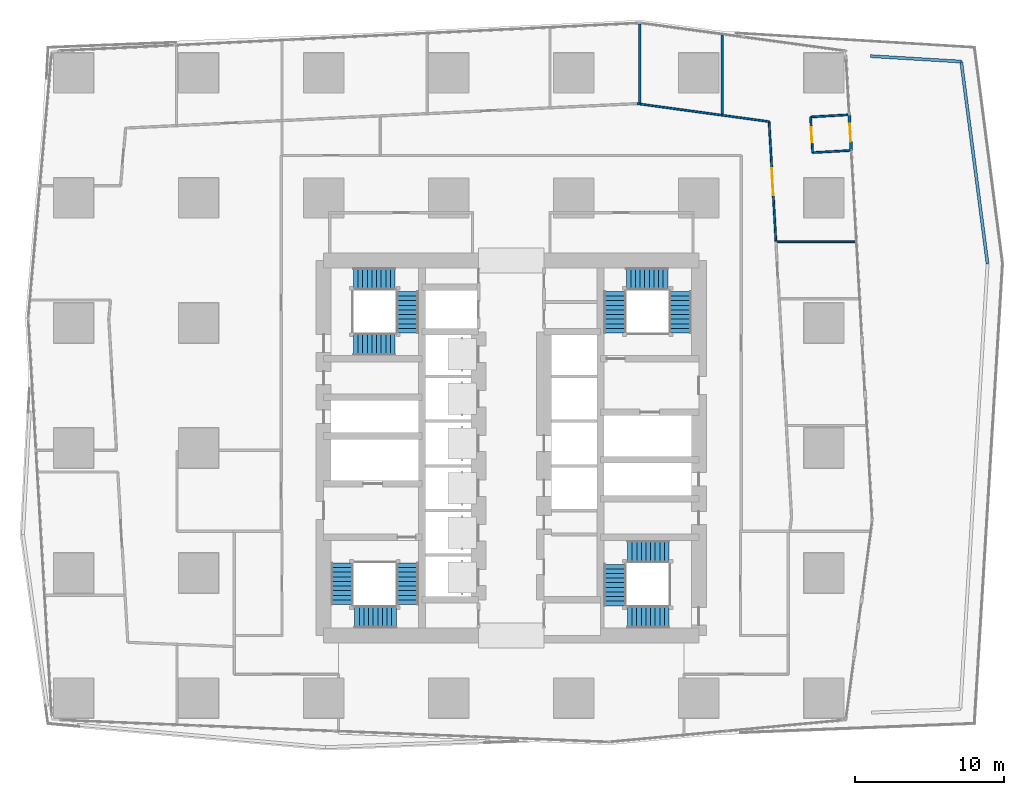
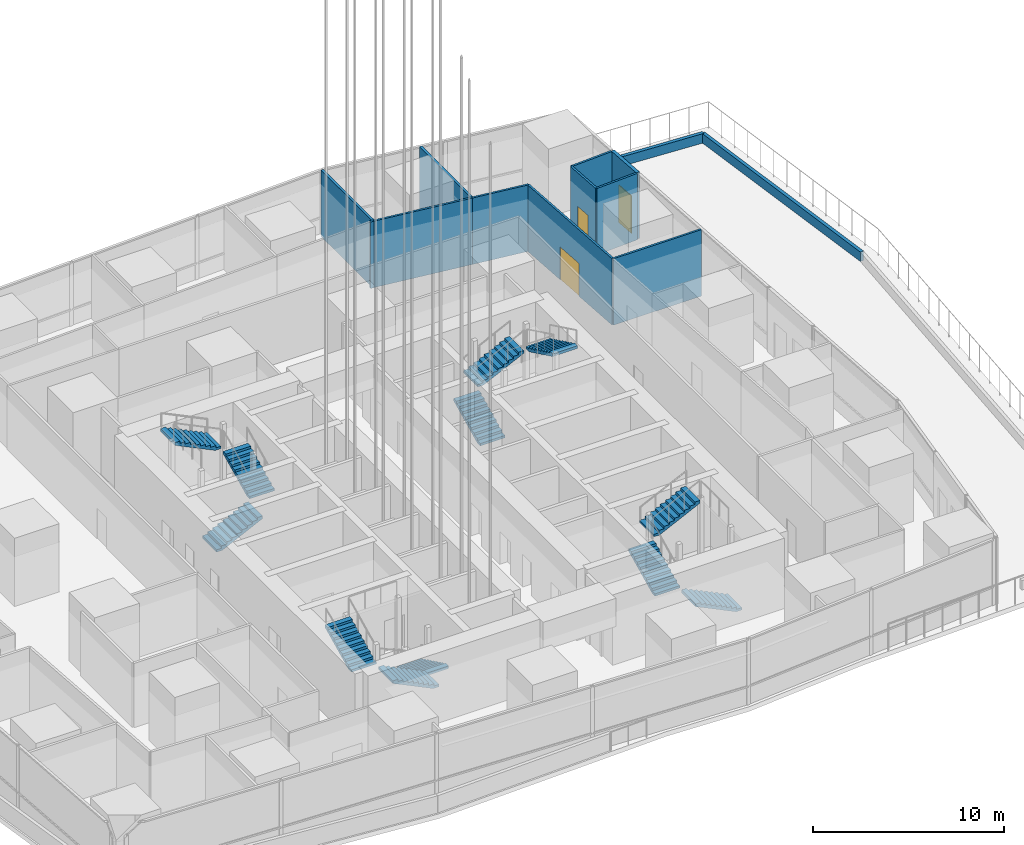
# One storey, part 18 of 39: 13 walls, 12 stair flights, 3 doors, 3 openings, 4 elements without a shape of their own.
"""IFC4 building model written with IfcOpenShell, lengths in metres."""

from ifc_helpers import new_model, si_unit, direction, frame, frame_2d, origin, place, context, subcontext, project, spatial, polyline, rectangle, outline, extrude, material, layer, layer_set, type_object, element, fill, aggregate, save


model = new_model("IFC4")

# Units and contexts
model_context = context("Model", 3, precision=1e-05, world=origin(), true_north=direction((0.0, 1.0)))
body_context = subcontext(model_context, "Body", "Model", "MODEL_VIEW")
ifc_project = project(units=[si_unit("LENGTHUNIT", "METRE"), si_unit("AREAUNIT", "SQUARE_METRE"), si_unit("VOLUMEUNIT", "CUBIC_METRE"), si_unit("PLANEANGLEUNIT", "RADIAN"), si_unit("MASSUNIT", "GRAM", prefix="KILO")], contexts=[model_context])

# Site, building, storey
site_placement = place(None, origin())
site = spatial("IfcSite", under=ifc_project, at=site_placement, CompositionType="ELEMENT")
building_placement = place(site_placement, origin())
building = spatial("IfcBuilding", under=site, at=building_placement, Name="Rekha Terrace Tower", CompositionType="ELEMENT")
storey_placement = place(building_placement, frame((0.0, 0.0, 168.199951171875)))
storey = spatial("IfcBuildingStorey", under=building, at=storey_placement, Name="L42", CompositionType="ELEMENT", Elevation=168.199951171875)

# Wall, opening, door
ifc_material_1 = material(Name="Aluminium-faced insulated screen wall", Category="aluminium")
ifc_layer_1 = layer(ifc_material_1, 0.199951171875)
ifc_layer_set_1 = layer_set([ifc_layer_1], Name="Aluminium-faced insulated screen wall")
wall_type_1 = type_object("IfcWallType", Name="EW3 terrace door screen wall 200", PredefinedType="SOLIDWALL", material=ifc_layer_set_1)
wall_1_placement = place(storey_placement, frame((60.63916015625, 53.588623046875, 0.0), z_axis=(0.0, 0.0, 1.0), x_axis=(-0.056658709935, 0.998393605042, 0.0)))
wall_1 = element("IfcWall", 1, at=wall_1_placement, inside=storey, type_object=wall_type_1, Name="Maintenance store door screen wall", PredefinedType="SOLIDWALL", context=body_context, shape_type="SweptSolid", body=[
    extrude(rectangle(XDim=2.400146484375, YDim=0.199951171875, at=frame_2d((1.2001953125, 0.0))), origin(), (0.0, 0.0, 1.0), 4.25),
])
opening_1_placement = place(wall_1_placement, frame((0.60009765625, 0.0, 0.0)))
opening_1 = element("IfcOpeningElement", 2, at=opening_1_placement, cuts=wall_1, Name="Opening ED4", PredefinedType="OPENING", context=body_context, shape_type="SweptSolid", body=[
    extrude(rectangle(XDim=1.199951171875, YDim=2.39990234375, at=frame_2d((0.60009765625, 1.199951171875))), frame((0.0, 0.10986328125, 0.0), z_axis=(0.0, -1.0, 0.0), x_axis=(1.0, 0.0, 0.0)), (0.0, 0.0, 1.0), 0.219970703125),
])
ifc_material_2 = material(Name="Aluminium framed laminated glass door", Category="aluminium")
door_type_1 = type_object("IfcDoorType", Name="ED4 glazed terrace door 1200 x 2400", OperationType="SINGLE_SWING_LEFT", PredefinedType="DOOR", material=ifc_material_2)
door_1_placement = place(opening_1_placement, origin())
door_1 = element("IfcDoor", 3, at=door_1_placement, inside=storey, type_object=door_type_1, Name="Maintenance access door", OperationType="SINGLE_SWING_LEFT", OverallHeight=2.39990234375, OverallWidth=1.199951171875, PredefinedType="DOOR", context=body_context, shape_type="SweptSolid", body=[
    extrude(rectangle(XDim=1.199951171875, YDim=2.39990234375, at=frame_2d((0.60009765625, 1.199951171875))), frame((0.0, 0.02490234375, 0.0), z_axis=(0.0, -1.0, 0.0), x_axis=(1.0, 0.0, 0.0)), (0.0, 0.0, 1.0), 0.050048828125),
])
fill(opening_1, door_1)

# Walls
ifc_material_3 = material(Name="Concrete M40", Category="concrete")
ifc_layer_2 = layer(ifc_material_3, 0.199951171875)
ifc_layer_set_2 = layer_set([ifc_layer_2], Name="Concrete M40")
wall_type_2 = type_object("IfcWallType", Name="PL1 terrace planter wall 200", PredefinedType="USERDEFINED", material=ifc_layer_set_2)
wall_2_placement = place(storey_placement, frame((69.795654296875, 45.97021484375, 0.0), z_axis=(0.0, 0.0, 1.0), x_axis=(-0.129119022458, 0.991629103062, 0.0)))
element("IfcWall", 4, at=wall_2_placement, inside=storey, type_object=wall_type_2, Name="Terrace planter", ObjectType="PLANTER", PredefinedType="USERDEFINED", context=body_context, shape_type="SweptSolid", body=[
    extrude(rectangle(XDim=13.700927734375, YDim=0.199951171875, at=frame_2d((6.8505859375, 0.0))), origin(), (0.0, 0.0, 1.0), 0.60009765625),
])
wall_3_placement = place(storey_placement, frame((68.026611328125, 59.556396484375, 0.0), z_axis=(0.0, 0.0, 1.0), x_axis=(-0.998198278136, 0.060001646027, 0.0)))
element("IfcWall", 5, at=wall_3_placement, inside=storey, type_object=wall_type_2, Name="Terrace planter", ObjectType="PLANTER", PredefinedType="USERDEFINED", context=body_context, shape_type="SweptSolid", body=[
    extrude(rectangle(XDim=6.09521484375, YDim=0.199951171875, at=frame_2d((3.047607421875, 0.0))), origin(), (0.0, 0.0, 1.0), 0.60009765625),
])
ifc_material_4 = material(Name="Concrete block masonry, 1 hour", Category="masonry")
ifc_layer_3 = layer(ifc_material_4, 0.14990234375)
ifc_layer_set_3 = layer_set([ifc_layer_3], Name="Concrete block masonry, 1 hour")
wall_type_3 = type_object("IfcWallType", Name="WP2 150 tenancy partition", PredefinedType="PARTITIONING", material=ifc_layer_set_3)
wall_4_placement = place(storey_placement, frame((46.241943359375, 56.73193359375, 0.0), z_axis=(0.0, 0.0, 1.0), x_axis=(0.990372824213, -0.13842568064, 0.0)))
element("IfcWall", 6, at=wall_4_placement, inside=storey, type_object=wall_type_3, Name="Partition L42-O2", PredefinedType="PARTITIONING", context=body_context, shape_type="SweptSolid", body=[
    extrude(rectangle(XDim=0.194091796875, YDim=0.14990234375, at=frame_2d((0.09716796875, 0.0))), origin(), (0.0, 0.0, 1.0), 4.25),
])
wall_5_placement = place(storey_placement, frame((46.43408203125, 56.705078125, 0.0), z_axis=(0.0, 0.0, 1.0), x_axis=(0.0, 1.0, 0.0)))
element("IfcWall", 7, at=wall_5_placement, inside=storey, type_object=wall_type_3, Name="Partition L42-O2", PredefinedType="PARTITIONING", context=body_context, shape_type="SweptSolid", body=[
    extrude(rectangle(XDim=5.36181640625, YDim=0.14990234375, at=frame_2d((2.680908203125, 0.0))), origin(), (0.0, 0.0, 1.0), 4.25),
])
wall_6_placement = place(storey_placement, frame((51.97509765625, 56.013916015625, 0.0), z_axis=(0.0, 0.0, 1.0), x_axis=(0.0, 1.0, 0.0)))
element("IfcWall", 8, at=wall_6_placement, inside=storey, type_object=wall_type_3, Name="Partition L42-O2", PredefinedType="PARTITIONING", context=body_context, shape_type="SweptSolid", body=[
    extrude(rectangle(XDim=5.337158203125, YDim=0.14990234375, at=frame_2d((2.66845703125, 0.0))), origin(), (0.0, 0.0, 1.0), 4.25),
])
ifc_material_5 = material(Name="Two layers of fire-rated gypsum board each side on steel studs, acoustic quilt, 1 hour", Category="steel")
ifc_layer_4 = layer(ifc_material_5, 0.125)
ifc_layer_set_4 = layer_set([ifc_layer_4], Name="Two layers of fire-rated gypsum board each side on steel studs, acoustic quilt, 1 hour")
wall_type_4 = type_object("IfcWallType", Name="WP3 125 office partition", PredefinedType="PARTITIONING", material=ifc_layer_set_4)
wall_7_placement = place(storey_placement, frame((55.5791015625, 47.450927734375, 0.0), z_axis=(0.0, 0.0, 1.0), x_axis=(1.0, 0.0, 0.0)))
element("IfcWall", 9, at=wall_7_placement, inside=storey, type_object=wall_type_4, Name="Partition L42-07", PredefinedType="PARTITIONING", context=body_context, shape_type="SweptSolid", body=[
    extrude(rectangle(XDim=5.328857421875, YDim=0.125, at=frame_2d((2.66455078125, 0.0))), origin(), (0.0, 0.0, 1.0), 4.25),
])
wall_8_placement = place(storey_placement, frame((60.403076171875, 55.97900390625, 0.0), z_axis=(0.0, 0.0, 1.0), x_axis=(-0.99838370594, -0.056832875279, 0.0)))
element("IfcWall", 10, at=wall_8_placement, inside=storey, type_object=wall_type_4, Name="Partition L42-08", PredefinedType="PARTITIONING", context=body_context, shape_type="SweptSolid", body=[
    extrude(rectangle(XDim=2.500244140625, YDim=0.125, at=frame_2d((1.25, 0.0))), origin(), (0.0, 0.0, 1.0), 4.25),
])

# Wall, opening, door
wall_9_placement = place(storey_placement, frame((57.906982421875, 55.8369140625, 0.0), z_axis=(0.0, 0.0, 1.0), x_axis=(0.056664464652, -0.998393278446, 0.0)))
wall_9 = element("IfcWall", 11, at=wall_9_placement, inside=storey, type_object=wall_type_4, Name="Partition L42-08", PredefinedType="PARTITIONING", context=body_context, shape_type="SweptSolid", body=[
    extrude(rectangle(XDim=2.39990234375, YDim=0.125, at=frame_2d((1.199951171875, 0.0))), origin(), (0.0, 0.0, 1.0), 4.25),
])
opening_2_placement = place(wall_9_placement, frame((0.699951171875, 0.0, 0.0)))
opening_2 = element("IfcOpeningElement", 12, at=opening_2_placement, cuts=wall_9, Name="Opening D9", PredefinedType="OPENING", context=body_context, shape_type="SweptSolid", body=[
    extrude(rectangle(XDim=1.0, YDim=2.10009765625, at=frame_2d((0.5, 1.050048828125))), frame((0.0, 0.072509765625, 0.0), z_axis=(0.0, -1.0, 0.0), x_axis=(1.0, 0.0, 0.0)), (0.0, 0.0, 1.0), 0.14501953125),
])
ifc_material_6 = material(Name="Timber fire door", Category="wood")
door_type_2 = type_object("IfcDoorType", Name="D9 1000x2100 office door", OperationType="SINGLE_SWING_LEFT", PredefinedType="DOOR", material=ifc_material_6)
door_2_placement = place(opening_2_placement, origin())
door_2 = element("IfcDoor", 13, at=door_2_placement, inside=storey, type_object=door_type_2, Name="Door terrace maintenance store L42", OperationType="SINGLE_SWING_LEFT", OverallHeight=2.10009765625, OverallWidth=1.0, PredefinedType="DOOR", context=body_context, shape_type="SweptSolid", body=[
    extrude(rectangle(XDim=1.0, YDim=2.10009765625, at=frame_2d((0.5, 1.050048828125))), frame((0.0, 0.02490234375, 0.0), z_axis=(0.0, -1.0, 0.0), x_axis=(1.0, 0.0, 0.0)), (0.0, 0.0, 1.0), 0.050048828125),
])
fill(opening_2, door_2)

# Wall
wall_10_placement = place(storey_placement, frame((58.04296875, 53.44091796875, 0.0), z_axis=(0.0, 0.0, 1.0), x_axis=(0.99838737481, 0.056768387506, 0.0)))
element("IfcWall", 14, at=wall_10_placement, inside=storey, type_object=wall_type_4, Name="Partition L42-08", PredefinedType="PARTITIONING", context=body_context, shape_type="SweptSolid", body=[
    extrude(rectangle(XDim=2.520263671875, YDim=0.125, at=frame_2d((1.26025390625, 0.0))), origin(), (0.0, 0.0, 1.0), 4.25),
])

# Wall, opening, door
wall_11_placement = place(storey_placement, frame((55.5791015625, 47.451904296875, 0.0), z_axis=(0.0, 0.0, 1.0), x_axis=(-0.056655879017, 0.998393765692, 0.0)))
wall_11 = element("IfcWall", 15, at=wall_11_placement, inside=storey, type_object=wall_type_4, Name="Partition L42-08", PredefinedType="PARTITIONING", context=body_context, shape_type="SweptSolid", body=[
    extrude(rectangle(XDim=8.083984375, YDim=0.125, at=frame_2d((4.0419921875, 0.0))), origin(), (0.0, 0.0, 1.0), 4.25),
])
opening_3_placement = place(wall_11_placement, frame((3.14208984375, 0.0, 0.0)))
opening_3 = element("IfcOpeningElement", 16, at=opening_3_placement, cuts=wall_11, Name="Opening D8", PredefinedType="OPENING", context=body_context, shape_type="SweptSolid", body=[
    extrude(rectangle(XDim=1.800048828125, YDim=2.10009765625, at=frame_2d((0.89990234375, 1.050048828125))), frame((0.0, 0.072509765625, 0.0), z_axis=(0.0, -1.0, 0.0), x_axis=(1.0, 0.0, 0.0)), (0.0, 0.0, 1.0), 0.14501953125),
])
door_type_3 = type_object("IfcDoorType", Name="D8 1800x2100 double leaf door", OperationType="DOUBLE_DOOR_SINGLE_SWING", PredefinedType="DOOR", material=ifc_material_6)
door_3_placement = place(opening_3_placement, origin())
door_3 = element("IfcDoor", 17, at=door_3_placement, inside=storey, type_object=door_type_3, Name="Door business lounge L42", OperationType="DOUBLE_DOOR_SINGLE_SWING", OverallHeight=2.10009765625, OverallWidth=1.800048828125, PredefinedType="DOOR", context=body_context, shape_type="SweptSolid", body=[
    extrude(rectangle(XDim=1.800048828125, YDim=2.10009765625, at=frame_2d((0.89990234375, 1.050048828125))), frame((0.0, 0.02490234375, 0.0), z_axis=(0.0, -1.0, 0.0), x_axis=(1.0, 0.0, 0.0)), (0.0, 0.0, 1.0), 0.050048828125),
])
fill(opening_3, door_3)

# Walls
wall_12_placement = place(storey_placement, frame((55.12109375, 55.52294921875, 0.0), z_axis=(0.0, 0.0, 1.0), x_axis=(-0.990861978698, 0.134879721126, 0.0)))
element("IfcWall", 18, at=wall_12_placement, inside=storey, type_object=wall_type_4, Name="Partition L42-08", PredefinedType="PARTITIONING", context=body_context, shape_type="SweptSolid", body=[
    extrude(rectangle(XDim=3.173095703125, YDim=0.125, at=frame_2d((1.58642578125, 0.0))), origin(), (0.0, 0.0, 1.0), 4.25),
])
wall_13_placement = place(storey_placement, frame((51.97705078125, 55.950927734375, 0.0), z_axis=(0.0, 0.0, 1.0), x_axis=(-0.990861495623, 0.134883269874, 0.0)))
element("IfcWall", 19, at=wall_13_placement, inside=storey, type_object=wall_type_4, Name="Partition L42-08", PredefinedType="PARTITIONING", context=body_context, shape_type="SweptSolid", body=[
    extrude(rectangle(XDim=5.591064453125, YDim=0.125, at=frame_2d((2.79541015625, 0.0))), origin(), (0.0, 0.0, 1.0), 4.25),
])

# Stair, stair flights
stair_type = type_object("IfcStairType", Name="ST30 stair, 30 risers of 150, going 310, 1500 wide flights, 3 flights", PredefinedType="HALF_TURN_STAIR", material=ifc_material_3)
stair_1_placement = place(storey_placement, origin())
stair_1 = element("IfcStair", 20, at=stair_1_placement, inside=storey, type_object=stair_type, Name="Stair ST1 L42 to L43", PredefinedType="HALF_TURN_STAIR")
stair_flight_type = type_object("IfcStairFlightType", Name="SF10 stair flight, 10 risers of 150, going 310, 1500 wide", PredefinedType="STRAIGHT", material=ifc_material_3)
stair_flight_1_placement = place(storey_placement, frame((30.824951171875, 25.875, 0.0), z_axis=(0.0, 0.0, 1.0), x_axis=(0.0, -1.0, 0.0)))
stair_flight_1 = element("IfcStairFlight", 21, at=stair_flight_1_placement, type_object=stair_flight_type, Name="ST1 flight 1", NumberOfRisers=10, NumberOfTreads=9, PredefinedType="STRAIGHT", RiserHeight=0.15, TreadLength=0.31, context=body_context, shape_type="SweptSolid", body=[
    extrude(outline(polyline([(0.0, 0.0), (0.0, 0.14990234375), (0.31005859375, 0.14990234375), (0.31005859375, 0.300048828125), (0.6201171875, 0.300048828125), (0.6201171875, 0.449951171875), (0.929931640625, 0.449951171875), (0.929931640625, 0.60009765625), (1.239990234375, 0.60009765625), (1.239990234375, 0.75), (1.550048828125, 0.75), (1.550048828125, 0.89990234375), (1.860107421875, 0.89990234375), (1.860107421875, 1.050048828125), (2.169921875, 1.050048828125), (2.169921875, 1.199951171875), (2.47998046875, 1.199951171875), (2.47998046875, 1.35009765625), (2.7900390625, 1.35009765625), (2.7900390625, 1.5), (2.7900390625, 1.183349609375), (0.34423828125, 0.0), (0.0, 0.0)])), frame((0.0, 0.75, 0.0), z_axis=(0.0, -1.0, 0.0), x_axis=(1.0, 0.0, 0.0)), (0.0, 0.0, 1.0), 1.5),
])
stair_flight_2_placement = place(storey_placement, frame((30.074951171875, 22.25, 1.5), z_axis=(0.0, 0.0, 1.0), x_axis=(-1.0, 0.0, 0.0)))
stair_flight_2 = element("IfcStairFlight", 22, at=stair_flight_2_placement, type_object=stair_flight_type, Name="ST1 flight 2", NumberOfRisers=10, NumberOfTreads=9, PredefinedType="STRAIGHT", RiserHeight=0.15, TreadLength=0.31, context=body_context, shape_type="SweptSolid", body=[
    extrude(outline(polyline([(0.0, 0.0), (0.0, 0.14990234375), (0.31005859375, 0.14990234375), (0.31005859375, 0.300048828125), (0.6201171875, 0.300048828125), (0.6201171875, 0.449951171875), (0.929931640625, 0.449951171875), (0.929931640625, 0.60009765625), (1.239990234375, 0.60009765625), (1.239990234375, 0.75), (1.550048828125, 0.75), (1.550048828125, 0.89990234375), (1.860107421875, 0.89990234375), (1.860107421875, 1.050048828125), (2.169921875, 1.050048828125), (2.169921875, 1.199951171875), (2.47998046875, 1.199951171875), (2.47998046875, 1.35009765625), (2.7900390625, 1.35009765625), (2.7900390625, 1.5), (2.7900390625, 1.183349609375), (0.34423828125, 0.0), (0.0, 0.0)])), frame((0.0, 0.75, 0.0), z_axis=(0.0, -1.0, 0.0), x_axis=(1.0, 0.0, 0.0)), (0.0, 0.0, 1.0), 1.5),
])
stair_flight_3_placement = place(storey_placement, frame((26.449951171875, 23.0849609375, 3.0), z_axis=(0.0, 0.0, 1.0), x_axis=(0.0, 1.0, 0.0)))
stair_flight_3 = element("IfcStairFlight", 23, at=stair_flight_3_placement, type_object=stair_flight_type, Name="ST1 flight 3", NumberOfRisers=10, NumberOfTreads=9, PredefinedType="STRAIGHT", RiserHeight=0.15, TreadLength=0.31, context=body_context, shape_type="SweptSolid", body=[
    extrude(outline(polyline([(0.0, 0.0), (0.0, 0.14990234375), (0.31005859375, 0.14990234375), (0.31005859375, 0.300048828125), (0.6201171875, 0.300048828125), (0.6201171875, 0.449951171875), (0.929931640625, 0.449951171875), (0.929931640625, 0.60009765625), (1.239990234375, 0.60009765625), (1.239990234375, 0.75), (1.550048828125, 0.75), (1.550048828125, 0.89990234375), (1.860107421875, 0.89990234375), (1.860107421875, 1.050048828125), (2.169921875, 1.050048828125), (2.169921875, 1.199951171875), (2.47998046875, 1.199951171875), (2.47998046875, 1.35009765625), (2.7900390625, 1.35009765625), (2.7900390625, 1.5), (2.7900390625, 1.183349609375), (0.34423828125, 0.0), (0.0, 0.0)])), frame((0.0, 0.75, 0.0), z_axis=(0.0, -1.0, 0.0), x_axis=(1.0, 0.0, 0.0)), (0.0, 0.0, 1.0), 1.5),
])
aggregate(stair_1, [stair_flight_1, stair_flight_2, stair_flight_3])

stair_2_placement = place(storey_placement, origin())
stair_2 = element("IfcStair", 24, at=stair_2_placement, inside=storey, type_object=stair_type, Name="Stair ST2 L42 to L43", PredefinedType="HALF_TURN_STAIR")
stair_flight_4_placement = place(storey_placement, frame((44.77490234375, 41.324951171875, 0.0), z_axis=(0.0, 0.0, 1.0), x_axis=(0.0, 1.0, 0.0)))
stair_flight_4 = element("IfcStairFlight", 25, at=stair_flight_4_placement, type_object=stair_flight_type, Name="ST2 flight 1", NumberOfRisers=10, NumberOfTreads=9, PredefinedType="STRAIGHT", RiserHeight=0.15, TreadLength=0.31, context=body_context, shape_type="SweptSolid", body=[
    extrude(outline(polyline([(0.0, 0.0), (0.0, 0.14990234375), (0.31005859375, 0.14990234375), (0.31005859375, 0.300048828125), (0.6201171875, 0.300048828125), (0.6201171875, 0.449951171875), (0.929931640625, 0.449951171875), (0.929931640625, 0.60009765625), (1.239990234375, 0.60009765625), (1.239990234375, 0.75), (1.550048828125, 0.75), (1.550048828125, 0.89990234375), (1.860107421875, 0.89990234375), (1.860107421875, 1.050048828125), (2.169921875, 1.050048828125), (2.169921875, 1.199951171875), (2.47998046875, 1.199951171875), (2.47998046875, 1.35009765625), (2.7900390625, 1.35009765625), (2.7900390625, 1.5), (2.7900390625, 1.183349609375), (0.34423828125, 0.0), (0.0, 0.0)])), frame((0.0, 0.75, 0.0), z_axis=(0.0, -1.0, 0.0), x_axis=(1.0, 0.0, 0.0)), (0.0, 0.0, 1.0), 1.5),
])
stair_flight_5_placement = place(storey_placement, frame((45.52490234375, 44.949951171875, 1.5), z_axis=(0.0, 0.0, 1.0), x_axis=(1.0, 0.0, 0.0)))
stair_flight_5 = element("IfcStairFlight", 26, at=stair_flight_5_placement, type_object=stair_flight_type, Name="ST2 flight 2", NumberOfRisers=10, NumberOfTreads=9, PredefinedType="STRAIGHT", RiserHeight=0.15, TreadLength=0.31, context=body_context, shape_type="SweptSolid", body=[
    extrude(outline(polyline([(0.0, 0.0), (0.0, 0.14990234375), (0.31005859375, 0.14990234375), (0.31005859375, 0.300048828125), (0.6201171875, 0.300048828125), (0.6201171875, 0.449951171875), (0.929931640625, 0.449951171875), (0.929931640625, 0.60009765625), (1.239990234375, 0.60009765625), (1.239990234375, 0.75), (1.550048828125, 0.75), (1.550048828125, 0.89990234375), (1.860107421875, 0.89990234375), (1.860107421875, 1.050048828125), (2.169921875, 1.050048828125), (2.169921875, 1.199951171875), (2.47998046875, 1.199951171875), (2.47998046875, 1.35009765625), (2.7900390625, 1.35009765625), (2.7900390625, 1.5), (2.7900390625, 1.183349609375), (0.34423828125, 0.0), (0.0, 0.0)])), frame((0.0, 0.75, 0.0), z_axis=(0.0, -1.0, 0.0), x_axis=(1.0, 0.0, 0.0)), (0.0, 0.0, 1.0), 1.5),
])
stair_flight_6_placement = place(storey_placement, frame((49.14990234375, 44.114990234375, 3.0), z_axis=(0.0, 0.0, 1.0), x_axis=(0.0, -1.0, 0.0)))
stair_flight_6 = element("IfcStairFlight", 27, at=stair_flight_6_placement, type_object=stair_flight_type, Name="ST2 flight 3", NumberOfRisers=10, NumberOfTreads=9, PredefinedType="STRAIGHT", RiserHeight=0.15, TreadLength=0.31, context=body_context, shape_type="SweptSolid", body=[
    extrude(outline(polyline([(0.0, 0.0), (0.0, 0.14990234375), (0.31005859375, 0.14990234375), (0.31005859375, 0.300048828125), (0.6201171875, 0.300048828125), (0.6201171875, 0.449951171875), (0.929931640625, 0.449951171875), (0.929931640625, 0.60009765625), (1.239990234375, 0.60009765625), (1.239990234375, 0.75), (1.550048828125, 0.75), (1.550048828125, 0.89990234375), (1.860107421875, 0.89990234375), (1.860107421875, 1.050048828125), (2.169921875, 1.050048828125), (2.169921875, 1.199951171875), (2.47998046875, 1.199951171875), (2.47998046875, 1.35009765625), (2.7900390625, 1.35009765625), (2.7900390625, 1.5), (2.7900390625, 1.183349609375), (0.34423828125, 0.0), (0.0, 0.0)])), frame((0.0, 0.75, 0.0), z_axis=(0.0, -1.0, 0.0), x_axis=(1.0, 0.0, 0.0)), (0.0, 0.0, 1.0), 1.5),
])
aggregate(stair_2, [stair_flight_4, stair_flight_5, stair_flight_6])

stair_3_placement = place(storey_placement, origin())
stair_3 = element("IfcStair", 28, at=stair_3_placement, inside=storey, type_object=stair_type, Name="Stair ST3 L42 to L43", PredefinedType="HALF_TURN_STAIR")
stair_flight_7_placement = place(storey_placement, frame((48.39990234375, 22.25, 0.0), z_axis=(0.0, 0.0, 1.0), x_axis=(-1.0, 0.0, 0.0)))
stair_flight_7 = element("IfcStairFlight", 29, at=stair_flight_7_placement, type_object=stair_flight_type, Name="ST3 flight 1", NumberOfRisers=10, NumberOfTreads=9, PredefinedType="STRAIGHT", RiserHeight=0.15, TreadLength=0.31, context=body_context, shape_type="SweptSolid", body=[
    extrude(outline(polyline([(0.0, 0.0), (0.0, 0.14990234375), (0.31005859375, 0.14990234375), (0.31005859375, 0.300048828125), (0.6201171875, 0.300048828125), (0.6201171875, 0.449951171875), (0.929931640625, 0.449951171875), (0.929931640625, 0.60009765625), (1.239990234375, 0.60009765625), (1.239990234375, 0.75), (1.550048828125, 0.75), (1.550048828125, 0.89990234375), (1.860107421875, 0.89990234375), (1.860107421875, 1.050048828125), (2.169921875, 1.050048828125), (2.169921875, 1.199951171875), (2.47998046875, 1.199951171875), (2.47998046875, 1.35009765625), (2.7900390625, 1.35009765625), (2.7900390625, 1.5), (2.7900390625, 1.183349609375), (0.34423828125, 0.0), (0.0, 0.0)])), frame((0.0, 0.75, 0.0), z_axis=(0.0, -1.0, 0.0), x_axis=(1.0, 0.0, 0.0)), (0.0, 0.0, 1.0), 1.5),
])
stair_flight_8_placement = place(storey_placement, frame((44.77490234375, 23.0, 1.5), z_axis=(0.0, 0.0, 1.0), x_axis=(0.0, 1.0, 0.0)))
stair_flight_8 = element("IfcStairFlight", 30, at=stair_flight_8_placement, type_object=stair_flight_type, Name="ST3 flight 2", NumberOfRisers=10, NumberOfTreads=9, PredefinedType="STRAIGHT", RiserHeight=0.15, TreadLength=0.31, context=body_context, shape_type="SweptSolid", body=[
    extrude(outline(polyline([(0.0, 0.0), (0.0, 0.14990234375), (0.31005859375, 0.14990234375), (0.31005859375, 0.300048828125), (0.6201171875, 0.300048828125), (0.6201171875, 0.449951171875), (0.929931640625, 0.449951171875), (0.929931640625, 0.60009765625), (1.239990234375, 0.60009765625), (1.239990234375, 0.75), (1.550048828125, 0.75), (1.550048828125, 0.89990234375), (1.860107421875, 0.89990234375), (1.860107421875, 1.050048828125), (2.169921875, 1.050048828125), (2.169921875, 1.199951171875), (2.47998046875, 1.199951171875), (2.47998046875, 1.35009765625), (2.7900390625, 1.35009765625), (2.7900390625, 1.5), (2.7900390625, 1.183349609375), (0.34423828125, 0.0), (0.0, 0.0)])), frame((0.0, 0.75, 0.0), z_axis=(0.0, -1.0, 0.0), x_axis=(1.0, 0.0, 0.0)), (0.0, 0.0, 1.0), 1.5),
])
stair_flight_9_placement = place(storey_placement, frame((45.610107421875, 26.625, 3.0), z_axis=(0.0, 0.0, 1.0), x_axis=(1.0, 0.0, 0.0)))
stair_flight_9 = element("IfcStairFlight", 31, at=stair_flight_9_placement, type_object=stair_flight_type, Name="ST3 flight 3", NumberOfRisers=10, NumberOfTreads=9, PredefinedType="STRAIGHT", RiserHeight=0.15, TreadLength=0.31, context=body_context, shape_type="SweptSolid", body=[
    extrude(outline(polyline([(0.0, 0.0), (0.0, 0.14990234375), (0.31005859375, 0.14990234375), (0.31005859375, 0.300048828125), (0.6201171875, 0.300048828125), (0.6201171875, 0.449951171875), (0.929931640625, 0.449951171875), (0.929931640625, 0.60009765625), (1.239990234375, 0.60009765625), (1.239990234375, 0.75), (1.550048828125, 0.75), (1.550048828125, 0.89990234375), (1.860107421875, 0.89990234375), (1.860107421875, 1.050048828125), (2.169921875, 1.050048828125), (2.169921875, 1.199951171875), (2.47998046875, 1.199951171875), (2.47998046875, 1.35009765625), (2.7900390625, 1.35009765625), (2.7900390625, 1.5), (2.7900390625, 1.183349609375), (0.34423828125, 0.0), (0.0, 0.0)])), frame((0.0, 0.75, 0.0), z_axis=(0.0, -1.0, 0.0), x_axis=(1.0, 0.0, 0.0)), (0.0, 0.0, 1.0), 1.5),
])
aggregate(stair_3, [stair_flight_7, stair_flight_8, stair_flight_9])

stair_4_placement = place(storey_placement, origin())
stair_4 = element("IfcStair", 32, at=stair_4_placement, inside=storey, type_object=stair_type, Name="Stair ST4 L42 to L43", PredefinedType="HALF_TURN_STAIR")
stair_flight_10_placement = place(storey_placement, frame((27.199951171875, 40.574951171875, 0.0), z_axis=(0.0, 0.0, 1.0), x_axis=(1.0, 0.0, 0.0)))
stair_flight_10 = element("IfcStairFlight", 33, at=stair_flight_10_placement, type_object=stair_flight_type, Name="ST4 flight 1", NumberOfRisers=10, NumberOfTreads=9, PredefinedType="STRAIGHT", RiserHeight=0.15, TreadLength=0.31, context=body_context, shape_type="SweptSolid", body=[
    extrude(outline(polyline([(0.0, 0.0), (0.0, 0.14990234375), (0.31005859375, 0.14990234375), (0.31005859375, 0.300048828125), (0.6201171875, 0.300048828125), (0.6201171875, 0.449951171875), (0.929931640625, 0.449951171875), (0.929931640625, 0.60009765625), (1.239990234375, 0.60009765625), (1.239990234375, 0.75), (1.550048828125, 0.75), (1.550048828125, 0.89990234375), (1.860107421875, 0.89990234375), (1.860107421875, 1.050048828125), (2.169921875, 1.050048828125), (2.169921875, 1.199951171875), (2.47998046875, 1.199951171875), (2.47998046875, 1.35009765625), (2.7900390625, 1.35009765625), (2.7900390625, 1.5), (2.7900390625, 1.183349609375), (0.34423828125, 0.0), (0.0, 0.0)])), frame((0.0, 0.75, 0.0), z_axis=(0.0, -1.0, 0.0), x_axis=(1.0, 0.0, 0.0)), (0.0, 0.0, 1.0), 1.5),
])
stair_flight_11_placement = place(storey_placement, frame((30.824951171875, 41.324951171875, 1.5), z_axis=(0.0, 0.0, 1.0), x_axis=(0.0, 1.0, 0.0)))
stair_flight_11 = element("IfcStairFlight", 34, at=stair_flight_11_placement, type_object=stair_flight_type, Name="ST4 flight 2", NumberOfRisers=10, NumberOfTreads=9, PredefinedType="STRAIGHT", RiserHeight=0.15, TreadLength=0.31, context=body_context, shape_type="SweptSolid", body=[
    extrude(outline(polyline([(0.0, 0.0), (0.0, 0.14990234375), (0.31005859375, 0.14990234375), (0.31005859375, 0.300048828125), (0.6201171875, 0.300048828125), (0.6201171875, 0.449951171875), (0.929931640625, 0.449951171875), (0.929931640625, 0.60009765625), (1.239990234375, 0.60009765625), (1.239990234375, 0.75), (1.550048828125, 0.75), (1.550048828125, 0.89990234375), (1.860107421875, 0.89990234375), (1.860107421875, 1.050048828125), (2.169921875, 1.050048828125), (2.169921875, 1.199951171875), (2.47998046875, 1.199951171875), (2.47998046875, 1.35009765625), (2.7900390625, 1.35009765625), (2.7900390625, 1.5), (2.7900390625, 1.183349609375), (0.34423828125, 0.0), (0.0, 0.0)])), frame((0.0, 0.75, 0.0), z_axis=(0.0, -1.0, 0.0), x_axis=(1.0, 0.0, 0.0)), (0.0, 0.0, 1.0), 1.5),
])
stair_flight_12_placement = place(storey_placement, frame((29.989990234375, 44.949951171875, 3.0), z_axis=(0.0, 0.0, 1.0), x_axis=(-1.0, 0.0, 0.0)))
stair_flight_12 = element("IfcStairFlight", 35, at=stair_flight_12_placement, type_object=stair_flight_type, Name="ST4 flight 3", NumberOfRisers=10, NumberOfTreads=9, PredefinedType="STRAIGHT", RiserHeight=0.15, TreadLength=0.31, context=body_context, shape_type="SweptSolid", body=[
    extrude(outline(polyline([(0.0, 0.0), (0.0, 0.14990234375), (0.31005859375, 0.14990234375), (0.31005859375, 0.300048828125), (0.6201171875, 0.300048828125), (0.6201171875, 0.449951171875), (0.929931640625, 0.449951171875), (0.929931640625, 0.60009765625), (1.239990234375, 0.60009765625), (1.239990234375, 0.75), (1.550048828125, 0.75), (1.550048828125, 0.89990234375), (1.860107421875, 0.89990234375), (1.860107421875, 1.050048828125), (2.169921875, 1.050048828125), (2.169921875, 1.199951171875), (2.47998046875, 1.199951171875), (2.47998046875, 1.35009765625), (2.7900390625, 1.35009765625), (2.7900390625, 1.5), (2.7900390625, 1.183349609375), (0.34423828125, 0.0), (0.0, 0.0)])), frame((0.0, 0.75, 0.0), z_axis=(0.0, -1.0, 0.0), x_axis=(1.0, 0.0, 0.0)), (0.0, 0.0, 1.0), 1.5),
])
aggregate(stair_4, [stair_flight_10, stair_flight_11, stair_flight_12])

save(model, "model.ifc")
